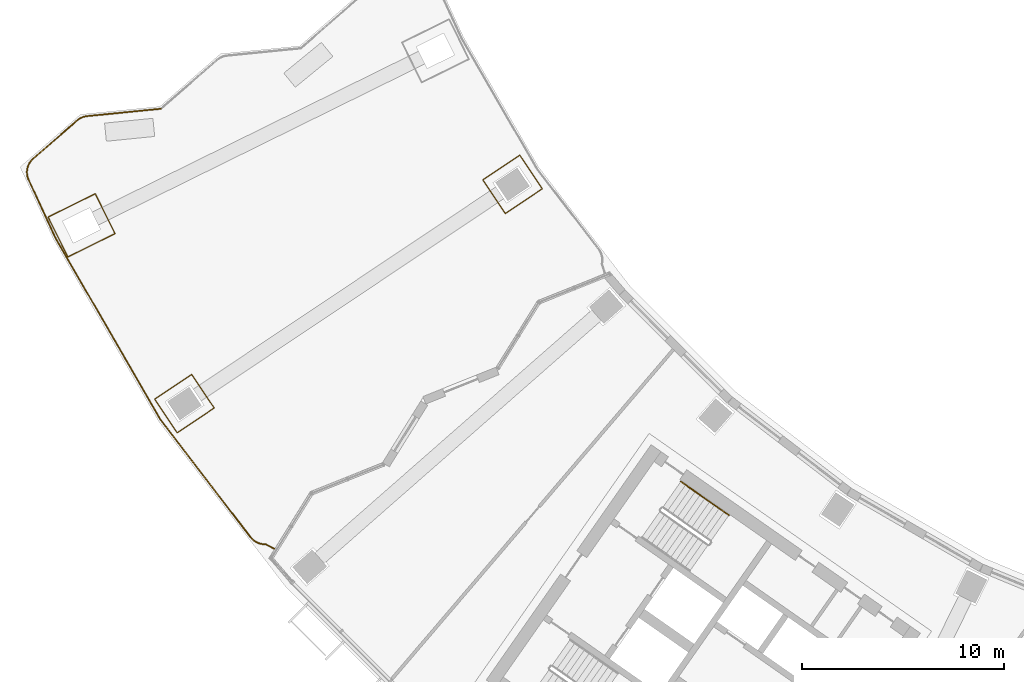
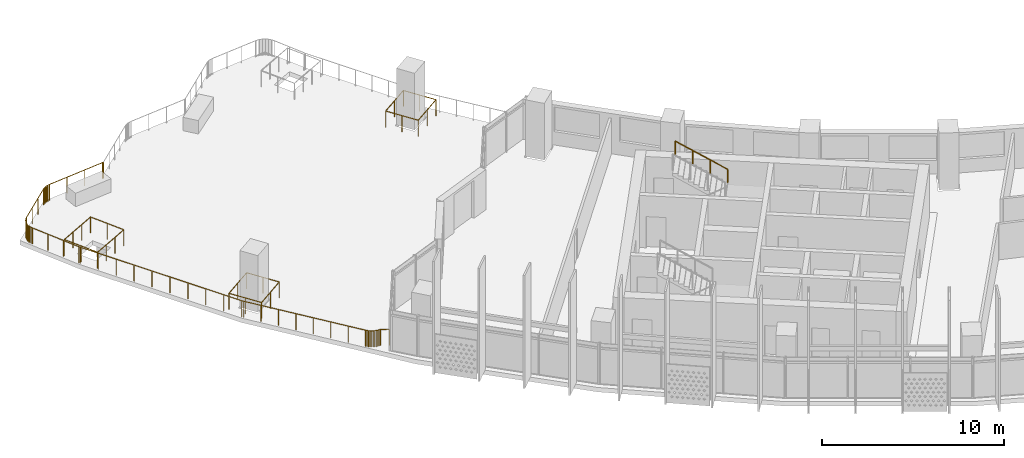
# One storey, part 24 of 31: 5 railings.
"""IFC4 building model written with IfcOpenShell, lengths in metres."""

from ifc_helpers import new_model, si_unit, direction, frame, origin, origin_2d, place, context, subcontext, project, spatial, circle, extrude, material, type_object, element, save


model = new_model("IFC4")

# Units and contexts
model_context = context("Model", 3, precision=1e-05, world=origin(), true_north=direction((0.0, 1.0)))
body_context = subcontext(model_context, "Body", "Model", "MODEL_VIEW")
ifc_project = project(units=[si_unit("LENGTHUNIT", "METRE"), si_unit("AREAUNIT", "SQUARE_METRE"), si_unit("VOLUMEUNIT", "CUBIC_METRE"), si_unit("PLANEANGLEUNIT", "RADIAN"), si_unit("MASSUNIT", "GRAM", prefix="KILO")], contexts=[model_context])

# Site, building, storey
site_placement = place(None, origin())
site = spatial("IfcSite", under=ifc_project, at=site_placement, CompositionType="ELEMENT")
building_placement = place(site_placement, origin())
building = spatial("IfcBuilding", under=site, at=building_placement, Name="Qamariyya Broadcast Tower", CompositionType="ELEMENT")
storey_placement = place(building_placement, frame((0.0, 0.0, 149.300048828125)))
storey = spatial("IfcBuildingStorey", under=building, at=storey_placement, Name="L34", CompositionType="ELEMENT", Elevation=149.300048828125)

# Railings
ifc_material_1 = material(Name="Stainless steel", Category="steel")
railing_type_1 = type_object("IfcRailingType", Name="Stair handrail", PredefinedType="HANDRAIL", material=ifc_material_1)
railing_1_placement = place(storey_placement, frame((-37.73876953125, -48.7138671875, 2.07275390625)))
element("IfcRailing", 1, at=railing_1_placement, inside=storey, type_object=railing_type_1, Name="L34 ST-W2 stair handrail 2", PredefinedType="HANDRAIL", context=body_context, shape_type="SweptSolid", body=[
    extrude(circle(Radius=0.02392578125, at=origin_2d()), frame((0.0, 0.0, 0.8759765625), z_axis=(-0.703745009021, 0.492838488332, 0.511715923826), x_axis=(-0.573631830683, -0.819113253969, 0.0)), (0.0, 0.0, 1.0), 3.37548828125),
    extrude(circle(Radius=0.02099609375, at=origin_2d()), origin(), (0.0, 0.0, 1.0), 0.851806640625),
    extrude(circle(Radius=0.02099609375, at=origin_2d()), frame((-0.791748046875, 0.554443359375, 0.57568359375)), (0.0, 0.0, 1.0), 0.851806640625),
    extrude(circle(Radius=0.02099609375, at=origin_2d()), frame((-1.583740234375, 1.109130859375, 1.151611328125)), (0.0, 0.0, 1.0), 0.851806640625),
    extrude(circle(Radius=0.02099609375, at=origin_2d()), frame((-2.37548828125, 1.66357421875, 1.727294921875)), (0.0, 0.0, 1.0), 0.851806640625),
])
ifc_material_2 = material(Name="Stainless steel 316 with toughened glass infill", Category="steel")
railing_type_2 = type_object("IfcRailingType", Name="Terrace guard, glass and stainless steel", PredefinedType="GUARDRAIL", material=ifc_material_2)
railing_2_placement = place(storey_placement, frame((-70.411376953125, -35.949462890625, 0.0)))
element("IfcRailing", 2, at=railing_2_placement, inside=storey, type_object=railing_type_2, Name="e-r-L34-t2-pyl0", PredefinedType="GUARDRAIL", context=body_context, shape_type="SweptSolid", body=[
    extrude(circle(Radius=0.02392578125, at=origin_2d()), frame((0.0, 0.0, 1.076171875), z_axis=(-0.442324275547, 0.896855191914, 0.0), x_axis=(-0.896855191914, -0.442324275547, 0.0)), (0.0, 0.0, 1.0), 2.199951171875),
    extrude(circle(Radius=0.02392578125, at=origin_2d()), frame((-0.97314453125, 1.97314453125, 1.076171875), z_axis=(0.896892299018, 0.442249029352, 0.0), x_axis=(-0.442249029352, 0.896892299018, 0.0)), (0.0, 0.0, 1.0), 2.60009765625),
    extrude(circle(Radius=0.02392578125, at=origin_2d()), frame((1.35888671875, 3.123046875, 1.076171875), z_axis=(0.442235010773, -0.896899211309, 0.0), x_axis=(0.896899211309, 0.442235010773, 0.0)), (0.0, 0.0, 1.0), 2.199951171875),
    extrude(circle(Radius=0.02392578125, at=origin_2d()), frame((2.331787109375, 1.14990234375, 1.076171875), z_axis=(-0.89687393217, -0.442286275837, 0.0), x_axis=(0.442286275837, -0.89687393217, 0.0)), (0.0, 0.0, 1.0), 2.599853515625),
    extrude(circle(Radius=0.02099609375, at=origin_2d()), origin(), (0.0, 0.0, 1.0), 1.052001953125),
    extrude(circle(Radius=0.02099609375, at=origin_2d()), frame((-0.486572265625, 0.986572265625, 0.0)), (0.0, 0.0, 1.0), 1.052001953125),
    extrude(circle(Radius=0.02099609375, at=origin_2d()), frame((-0.97314453125, 1.97314453125, 0.0)), (0.0, 0.0, 1.0), 1.052001953125),
    extrude(circle(Radius=0.02099609375, at=origin_2d()), frame((-0.19580078125, 2.3564453125, 0.0)), (0.0, 0.0, 1.0), 1.052001953125),
    extrude(circle(Radius=0.02099609375, at=origin_2d()), frame((0.58154296875, 2.73974609375, 0.0)), (0.0, 0.0, 1.0), 1.052001953125),
    extrude(circle(Radius=0.02099609375, at=origin_2d()), frame((1.35888671875, 3.123046875, 0.0)), (0.0, 0.0, 1.0), 1.052001953125),
    extrude(circle(Radius=0.02099609375, at=origin_2d()), frame((1.84521484375, 2.136474609375, 0.0)), (0.0, 0.0, 1.0), 1.052001953125),
    extrude(circle(Radius=0.02099609375, at=origin_2d()), frame((2.331787109375, 1.14990234375, 0.0)), (0.0, 0.0, 1.0), 1.052001953125),
    extrude(circle(Radius=0.02099609375, at=origin_2d()), frame((1.554443359375, 0.7666015625, 0.0)), (0.0, 0.0, 1.0), 1.052001953125),
    extrude(circle(Radius=0.02099609375, at=origin_2d()), frame((0.77734375, 0.38330078125, 0.0)), (0.0, 0.0, 1.0), 1.052001953125),
])
railing_3_placement = place(storey_placement, frame((-65.006103515625, -44.638671875, 0.0)))
element("IfcRailing", 3, at=railing_3_placement, inside=storey, type_object=railing_type_2, Name="e-r-L34-t2-pyl1", PredefinedType="GUARDRAIL", context=body_context, shape_type="SweptSolid", body=[
    extrude(circle(Radius=0.02392578125, at=origin_2d()), frame((0.0, 0.0, 1.076171875), z_axis=(-0.555516823968, 0.831505296609, 0.0), x_axis=(-0.831505296609, -0.555516823968, 0.0)), (0.0, 0.0, 1.0), 2.0),
    extrude(circle(Radius=0.02392578125, at=origin_2d()), frame((-1.111083984375, 1.6630859375, 1.076171875), z_axis=(0.831503573422, 0.55551940325, 0.0), x_axis=(-0.55551940325, 0.831503573422, 0.0)), (0.0, 0.0, 1.0), 2.199951171875),
    extrude(circle(Radius=0.02392578125, at=origin_2d()), frame((0.71826171875, 2.88525390625, 1.076171875), z_axis=(0.55557321199, -0.831467621811, 0.0), x_axis=(0.831467621811, 0.55557321199, 0.0)), (0.0, 0.0, 1.0), 2.0),
    extrude(circle(Radius=0.02392578125, at=origin_2d()), frame((1.829345703125, 1.222412109375, 1.076171875), z_axis=(-0.831452313852, -0.555596121107, 0.0), x_axis=(0.555596121107, -0.831452313852, 0.0)), (0.0, 0.0, 1.0), 2.2001953125),
    extrude(circle(Radius=0.02099609375, at=origin_2d()), origin(), (0.0, 0.0, 1.0), 1.052001953125),
    extrude(circle(Radius=0.02099609375, at=origin_2d()), frame((-0.5556640625, 0.83154296875, 0.0)), (0.0, 0.0, 1.0), 1.052001953125),
    extrude(circle(Radius=0.02099609375, at=origin_2d()), frame((-1.111083984375, 1.6630859375, 0.0)), (0.0, 0.0, 1.0), 1.052001953125),
    extrude(circle(Radius=0.02099609375, at=origin_2d()), frame((-0.1962890625, 2.274169921875, 0.0)), (0.0, 0.0, 1.0), 1.052001953125),
    extrude(circle(Radius=0.02099609375, at=origin_2d()), frame((0.71826171875, 2.88525390625, 0.0)), (0.0, 0.0, 1.0), 1.052001953125),
    extrude(circle(Radius=0.02099609375, at=origin_2d()), frame((1.27392578125, 2.0537109375, 0.0)), (0.0, 0.0, 1.0), 1.052001953125),
    extrude(circle(Radius=0.02099609375, at=origin_2d()), frame((1.829345703125, 1.222412109375, 0.0)), (0.0, 0.0, 1.0), 1.052001953125),
    extrude(circle(Radius=0.02099609375, at=origin_2d()), frame((0.91455078125, 0.611328125, 0.0)), (0.0, 0.0, 1.0), 1.052001953125),
])
railing_4_placement = place(storey_placement, frame((-48.7919921875, -33.8046875, 0.0)))
element("IfcRailing", 4, at=railing_4_placement, inside=storey, type_object=railing_type_2, Name="e-r-L34-t2-pyl3", PredefinedType="GUARDRAIL", context=body_context, shape_type="SweptSolid", body=[
    extrude(circle(Radius=0.02392578125, at=origin_2d()), frame((0.0, 0.0, 1.076171875), z_axis=(-0.555516823968, 0.831505296609, 0.0), x_axis=(-0.831505296609, -0.555516823968, 0.0)), (0.0, 0.0, 1.0), 2.0),
    extrude(circle(Radius=0.02392578125, at=origin_2d()), frame((-1.111083984375, 1.6630859375, 1.076171875), z_axis=(0.831469322918, 0.555570666114, 0.0), x_axis=(-0.555570666114, 0.831469322918, 0.0)), (0.0, 0.0, 1.0), 2.199951171875),
    extrude(circle(Radius=0.02392578125, at=origin_2d()), frame((0.718017578125, 2.88525390625, 1.076171875), z_axis=(0.55557321199, -0.831467621811, 0.0), x_axis=(0.831467621811, 0.55557321199, 0.0)), (0.0, 0.0, 1.0), 2.0),
    extrude(circle(Radius=0.02392578125, at=origin_2d()), frame((1.8291015625, 1.222412109375, 1.076171875), z_axis=(-0.831418056, -0.555647384729, 0.0), x_axis=(0.555647384729, -0.831418056, 0.0)), (0.0, 0.0, 1.0), 2.199951171875),
    extrude(circle(Radius=0.02099609375, at=origin_2d()), origin(), (0.0, 0.0, 1.0), 1.052001953125),
    extrude(circle(Radius=0.02099609375, at=origin_2d()), frame((-0.5556640625, 0.83154296875, 0.0)), (0.0, 0.0, 1.0), 1.052001953125),
    extrude(circle(Radius=0.02099609375, at=origin_2d()), frame((-1.111083984375, 1.6630859375, 0.0)), (0.0, 0.0, 1.0), 1.052001953125),
    extrude(circle(Radius=0.02099609375, at=origin_2d()), frame((-0.196533203125, 2.274169921875, 0.0)), (0.0, 0.0, 1.0), 1.052001953125),
    extrude(circle(Radius=0.02099609375, at=origin_2d()), frame((0.718017578125, 2.88525390625, 0.0)), (0.0, 0.0, 1.0), 1.052001953125),
    extrude(circle(Radius=0.02099609375, at=origin_2d()), frame((1.2734375, 2.0537109375, 0.0)), (0.0, 0.0, 1.0), 1.052001953125),
    extrude(circle(Radius=0.02099609375, at=origin_2d()), frame((1.8291015625, 1.222412109375, 0.0)), (0.0, 0.0, 1.0), 1.052001953125),
    extrude(circle(Radius=0.02099609375, at=origin_2d()), frame((0.91455078125, 0.611328125, 0.0)), (0.0, 0.0, 1.0), 1.052001953125),
])
railing_5_placement = place(storey_placement, frame((-60.18994140625, -50.37744140625, 0.0)))
element("IfcRailing", 5, at=railing_5_placement, inside=storey, type_object=railing_type_2, Name="e-r-L34-t2-1", PredefinedType="GUARDRAIL", context=body_context, shape_type="SweptSolid", body=[
    extrude(circle(Radius=0.02392578125, at=origin_2d()), frame((0.0, 0.0, 1.076171875), z_axis=(-0.886489187465, 0.462749306328, 0.0), x_axis=(-0.462749306328, -0.886489187465, 0.0)), (0.0, 0.0, 1.0), 0.500732421875),
    extrude(circle(Radius=0.02392578125, at=origin_2d()), frame((-0.44384765625, 0.231689453125, 1.076171875), z_axis=(-0.999995871343, -0.002873551354, 0.0), x_axis=(0.002873551354, -0.999995871343, 0.0)), (0.0, 0.0, 1.0), 0.0849609375),
    extrude(circle(Radius=0.02392578125, at=origin_2d()), frame((-0.52880859375, 0.2314453125, 1.076171875), z_axis=(-0.995482532471, 0.094944865814, 0.0), x_axis=(-0.094944865814, -0.995482532471, 0.0)), (0.0, 0.0, 1.0), 0.0849609375),
    extrude(circle(Radius=0.02392578125, at=origin_2d()), frame((-0.61328125, 0.239501953125, 1.076171875), z_axis=(-0.981345606985, 0.192251917158, 0.0), x_axis=(-0.192251917158, -0.981345606985, 0.0)), (0.0, 0.0, 1.0), 0.085205078125),
    extrude(circle(Radius=0.02392578125, at=origin_2d()), frame((-0.69677734375, 0.255859375, 1.076171875), z_axis=(-0.958536356279, 0.284970268083, 0.0), x_axis=(-0.284970268083, -0.958536356279, 0.0)), (0.0, 0.0, 1.0), 0.084716796875),
    extrude(circle(Radius=0.02392578125, at=origin_2d()), frame((-0.778076171875, 0.280029296875, 1.076171875), z_axis=(-0.926278382662, 0.376839963133, 0.0), x_axis=(-0.376839963133, -0.926278382662, 0.0)), (0.0, 0.0, 1.0), 0.0849609375),
    extrude(circle(Radius=0.02392578125, at=origin_2d()), frame((-0.856689453125, 0.31201171875, 1.076171875), z_axis=(-0.886225443962, 0.463254209344, 0.0), x_axis=(-0.463254209344, -0.886225443962, 0.0)), (0.0, 0.0, 1.0), 0.0849609375),
    extrude(circle(Radius=0.02392578125, at=origin_2d()), frame((-0.931884765625, 0.351318359375, 1.076171875), z_axis=(-0.83818119027, 0.545391870381, 0.0), x_axis=(-0.545391870381, -0.83818119027, 0.0)), (0.0, 0.0, 1.0), 0.0849609375),
    extrude(circle(Radius=0.02392578125, at=origin_2d()), frame((-1.003173828125, 0.397705078125, 1.076171875), z_axis=(-0.780587716047, 0.625046252333, 0.0), x_axis=(-0.625046252333, -0.780587716047, 0.0)), (0.0, 0.0, 1.0), 0.084716796875),
    extrude(circle(Radius=0.02392578125, at=origin_2d()), frame((-1.0693359375, 0.45068359375, 1.076171875), z_axis=(-0.717074557481, 0.696996469872, 0.0), x_axis=(-0.696996469872, -0.717074557481, 0.0)), (0.0, 0.0, 1.0), 0.085205078125),
    extrude(circle(Radius=0.02392578125, at=origin_2d()), frame((-1.13037109375, 0.510009765625, 1.076171875), z_axis=(-0.646191924356, 0.763174945145, 0.0), x_axis=(-0.763174945145, -0.646191924356, 0.0)), (0.0, 0.0, 1.0), 0.087646484375),
    extrude(circle(Radius=0.02392578125, at=origin_2d()), frame((-1.18701171875, 0.576904296875, 1.076171875), z_axis=(-0.608763186943, 0.793351991378, 0.0), x_axis=(-0.793351991378, -0.608763186943, 0.0)), (0.0, 0.0, 1.0), 7.262451171875),
    extrude(circle(Radius=0.02392578125, at=origin_2d()), frame((-5.608154296875, 6.338623046875, 1.076171875), z_axis=(-0.555615710267, 0.831439223578, 0.0), x_axis=(-0.831439223578, -0.555615710267, 0.0)), (0.0, 0.0, 1.0), 0.123046875),
    extrude(circle(Radius=0.02392578125, at=origin_2d()), frame((-5.676513671875, 6.44091796875, 1.076171875), z_axis=(-0.499992403988, 0.8660297893, 0.0), x_axis=(-0.8660297893, -0.499992403988, 0.0)), (0.0, 0.0, 1.0), 10.255615234375),
    extrude(circle(Radius=0.02392578125, at=origin_2d()), frame((-10.80419921875, 15.322509765625, 1.076171875), z_axis=(-0.460989828228, 0.887405419338, 0.0), x_axis=(-0.887405419338, -0.460989828228, 0.0)), (0.0, 0.0, 1.0), 0.084716796875),
    extrude(circle(Radius=0.02392578125, at=origin_2d()), frame((-10.84326171875, 15.397705078125, 1.076171875), z_axis=(-0.419858548833, 0.907589554243, 0.0), x_axis=(-0.907589554243, -0.419858548833, 0.0)), (0.0, 0.0, 1.0), 3.133056640625),
    extrude(circle(Radius=0.02392578125, at=origin_2d()), frame((-12.15869140625, 18.2412109375, 1.076171875), z_axis=(-0.376522359017, 0.92640753082, 0.0), x_axis=(-0.92640753082, -0.376522359017, 0.0)), (0.0, 0.0, 1.0), 0.090087890625),
    extrude(circle(Radius=0.02392578125, at=origin_2d()), frame((-12.192626953125, 18.32470703125, 1.076171875), z_axis=(-0.280646546128, 0.959811187758, 0.0), x_axis=(-0.959811187758, -0.280646546128, 0.0)), (0.0, 0.0, 1.0), 0.0869140625),
    extrude(circle(Radius=0.02392578125, at=origin_2d()), frame((-12.217041015625, 18.408203125, 1.076171875), z_axis=(-0.18479566844, 0.982776963978, 0.0), x_axis=(-0.982776963978, -0.18479566844, 0.0)), (0.0, 0.0, 1.0), 0.087158203125),
    extrude(circle(Radius=0.02392578125, at=origin_2d()), frame((-12.233154296875, 18.493896484375, 1.076171875), z_axis=(-0.086750372162, 0.996230080318, 0.0), x_axis=(-0.996230080318, -0.086750372162, 0.0)), (0.0, 0.0, 1.0), 0.087158203125),
    extrude(circle(Radius=0.02392578125, at=origin_2d()), frame((-12.24072265625, 18.580810546875, 1.076171875), z_axis=(0.014004228795, 0.99990193598, 0.0), x_axis=(-0.99990193598, 0.014004228795, 0.0)), (0.0, 0.0, 1.0), 0.087158203125),
    extrude(circle(Radius=0.02392578125, at=origin_2d()), frame((-12.239501953125, 18.66796875, 1.076171875), z_axis=(0.112279844712, 0.993676625704, 0.0), x_axis=(-0.993676625704, 0.112279844712, 0.0)), (0.0, 0.0, 1.0), 0.0869140625),
    extrude(circle(Radius=0.02392578125, at=origin_2d()), frame((-12.229736328125, 18.75439453125, 1.076171875), z_axis=(0.207422925202, 0.978251363454, 0.0), x_axis=(-0.978251363454, 0.207422925202, 0.0)), (0.0, 0.0, 1.0), 0.087158203125),
    extrude(circle(Radius=0.02392578125, at=origin_2d()), frame((-12.211669921875, 18.839599609375, 1.076171875), z_axis=(0.305283805802, 0.952261412594, 0.0), x_axis=(-0.952261412594, 0.305283805802, 0.0)), (0.0, 0.0, 1.0), 0.087158203125),
    extrude(circle(Radius=0.02392578125, at=origin_2d()), frame((-12.18505859375, 18.922607421875, 1.076171875), z_axis=(0.397293344319, 0.917691668568, 0.0), x_axis=(-0.917691668568, 0.397293344319, 0.0)), (0.0, 0.0, 1.0), 0.087158203125),
    extrude(circle(Radius=0.02392578125, at=origin_2d()), frame((-12.150390625, 19.002685546875, 1.076171875), z_axis=(0.484928783087, 0.874553643486, 0.0), x_axis=(-0.874553643486, 0.484928783087, 0.0)), (0.0, 0.0, 1.0), 0.087158203125),
    extrude(circle(Radius=0.02392578125, at=origin_2d()), frame((-12.108154296875, 19.078857421875, 1.076171875), z_axis=(0.571392706116, 0.820676778883, 0.0), x_axis=(-0.820676778883, 0.571392706116, 0.0)), (0.0, 0.0, 1.0), 0.087158203125),
    extrude(circle(Radius=0.02392578125, at=origin_2d()), frame((-12.058349609375, 19.150390625, 1.076171875), z_axis=(0.648707513559, 0.761037818937, 0.0), x_axis=(-0.761037818937, 0.648707513559, 0.0)), (0.0, 0.0, 1.0), 0.0869140625),
    extrude(circle(Radius=0.02392578125, at=origin_2d()), frame((-12.001953125, 19.216552734375, 1.076171875), z_axis=(0.721819371328, 0.692081494606, 0.0), x_axis=(-0.692081494606, 0.721819371328, 0.0)), (0.0, 0.0, 1.0), 0.09033203125),
    extrude(circle(Radius=0.02392578125, at=origin_2d()), frame((-11.936767578125, 19.279052734375, 1.076171875), z_axis=(0.754297739104, 0.656532497888, 0.0), x_axis=(-0.656532497888, 0.754297739104, 0.0)), (0.0, 0.0, 1.0), 2.88671875),
    extrude(circle(Radius=0.02392578125, at=origin_2d()), frame((-9.75927734375, 21.17431640625, 1.076171875), z_axis=(0.785683890366, 0.618628179458, 0.0), x_axis=(-0.618628179458, 0.785683890366, 0.0)), (0.0, 0.0, 1.0), 0.093505859375),
    extrude(circle(Radius=0.02392578125, at=origin_2d()), frame((-9.685791015625, 21.232177734375, 1.076171875), z_axis=(0.847087708116, 0.531453116238, 0.0), x_axis=(-0.531453116238, 0.847087708116, 0.0)), (0.0, 0.0, 1.0), 0.090576171875),
    extrude(circle(Radius=0.02392578125, at=origin_2d()), frame((-9.609130859375, 21.2802734375, 1.076171875), z_axis=(0.896577181158, 0.442887523223, 0.0), x_axis=(-0.442887523223, 0.896577181158, 0.0)), (0.0, 0.0, 1.0), 0.09033203125),
    extrude(circle(Radius=0.02392578125, at=origin_2d()), frame((-9.528076171875, 21.3203125, 1.076171875), z_axis=(0.937324469765, 0.348457799999, 0.0), x_axis=(-0.348457799999, 0.937324469765, 0.0)), (0.0, 0.0, 1.0), 0.09033203125),
    extrude(circle(Radius=0.02392578125, at=origin_2d()), frame((-9.443359375, 21.351806640625, 1.076171875), z_axis=(0.967875158952, 0.251431256376, 0.0), x_axis=(-0.251431256376, 0.967875158952, 0.0)), (0.0, 0.0, 1.0), 0.09033203125),
    extrude(circle(Radius=0.02392578125, at=origin_2d()), frame((-9.35595703125, 21.37451171875, 1.076171875), z_axis=(0.988491995219, 0.151273181326, 0.0), x_axis=(-0.151273181326, 0.988491995219, 0.0)), (0.0, 0.0, 1.0), 0.093505859375),
    extrude(circle(Radius=0.02392578125, at=origin_2d()), frame((-9.263427734375, 21.388671875, 1.076171875), z_axis=(0.995065352911, 0.099221688339, 0.0), x_axis=(-0.099221688339, 0.995065352911, 0.0)), (0.0, 0.0, 1.0), 3.599853515625),
    extrude(circle(Radius=0.02392578125, at=origin_2d()), frame((-5.681396484375, 21.745849609375, 1.076171875), z_axis=(0.988605679587, 0.15052843681, 0.0), x_axis=(-0.15052843681, 0.988605679587, 0.0)), (0.0, 0.0, 1.0), 0.06005859375),
    extrude(circle(Radius=0.02099609375, at=origin_2d()), origin(), (0.0, 0.0, 1.0), 1.052001953125),
    extrude(circle(Radius=0.02099609375, at=origin_2d()), frame((-0.44384765625, 0.231689453125, 0.0)), (0.0, 0.0, 1.0), 1.052001953125),
    extrude(circle(Radius=0.02099609375, at=origin_2d()), frame((-0.52880859375, 0.2314453125, 0.0)), (0.0, 0.0, 1.0), 1.052001953125),
    extrude(circle(Radius=0.02099609375, at=origin_2d()), frame((-0.61328125, 0.239501953125, 0.0)), (0.0, 0.0, 1.0), 1.052001953125),
    extrude(circle(Radius=0.02099609375, at=origin_2d()), frame((-0.69677734375, 0.255859375, 0.0)), (0.0, 0.0, 1.0), 1.052001953125),
    extrude(circle(Radius=0.02099609375, at=origin_2d()), frame((-0.778076171875, 0.280029296875, 0.0)), (0.0, 0.0, 1.0), 1.052001953125),
    extrude(circle(Radius=0.02099609375, at=origin_2d()), frame((-0.856689453125, 0.31201171875, 0.0)), (0.0, 0.0, 1.0), 1.052001953125),
    extrude(circle(Radius=0.02099609375, at=origin_2d()), frame((-0.931884765625, 0.351318359375, 0.0)), (0.0, 0.0, 1.0), 1.052001953125),
    extrude(circle(Radius=0.02099609375, at=origin_2d()), frame((-1.003173828125, 0.397705078125, 0.0)), (0.0, 0.0, 1.0), 1.052001953125),
    extrude(circle(Radius=0.02099609375, at=origin_2d()), frame((-1.0693359375, 0.45068359375, 0.0)), (0.0, 0.0, 1.0), 1.052001953125),
    extrude(circle(Radius=0.02099609375, at=origin_2d()), frame((-1.13037109375, 0.510009765625, 0.0)), (0.0, 0.0, 1.0), 1.052001953125),
    extrude(circle(Radius=0.02099609375, at=origin_2d()), frame((-1.18701171875, 0.576904296875, 0.0)), (0.0, 0.0, 1.0), 1.052001953125),
    extrude(circle(Radius=0.02099609375, at=origin_2d()), frame((-1.818603515625, 1.39990234375, 0.0)), (0.0, 0.0, 1.0), 1.052001953125),
    extrude(circle(Radius=0.02099609375, at=origin_2d()), frame((-2.4501953125, 2.22314453125, 0.0)), (0.0, 0.0, 1.0), 1.052001953125),
    extrude(circle(Radius=0.02099609375, at=origin_2d()), frame((-3.081787109375, 3.046142578125, 0.0)), (0.0, 0.0, 1.0), 1.052001953125),
    extrude(circle(Radius=0.02099609375, at=origin_2d()), frame((-3.71337890625, 3.869384765625, 0.0)), (0.0, 0.0, 1.0), 1.052001953125),
    extrude(circle(Radius=0.02099609375, at=origin_2d()), frame((-4.344970703125, 4.6923828125, 0.0)), (0.0, 0.0, 1.0), 1.052001953125),
    extrude(circle(Radius=0.02099609375, at=origin_2d()), frame((-4.9765625, 5.515625, 0.0)), (0.0, 0.0, 1.0), 1.052001953125),
    extrude(circle(Radius=0.02099609375, at=origin_2d()), frame((-5.608154296875, 6.338623046875, 0.0)), (0.0, 0.0, 1.0), 1.052001953125),
    extrude(circle(Radius=0.02099609375, at=origin_2d()), frame((-5.676513671875, 6.44091796875, 0.0)), (0.0, 0.0, 1.0), 1.052001953125),
    extrude(circle(Radius=0.02099609375, at=origin_2d()), frame((-6.246337890625, 7.427734375, 0.0)), (0.0, 0.0, 1.0), 1.052001953125),
    extrude(circle(Radius=0.02099609375, at=origin_2d()), frame((-6.81591796875, 8.41455078125, 0.0)), (0.0, 0.0, 1.0), 1.052001953125),
    extrude(circle(Radius=0.02099609375, at=origin_2d()), frame((-7.3857421875, 9.4013671875, 0.0)), (0.0, 0.0, 1.0), 1.052001953125),
    extrude(circle(Radius=0.02099609375, at=origin_2d()), frame((-7.95556640625, 10.38818359375, 0.0)), (0.0, 0.0, 1.0), 1.052001953125),
    extrude(circle(Radius=0.02099609375, at=origin_2d()), frame((-8.525146484375, 11.375244140625, 0.0)), (0.0, 0.0, 1.0), 1.052001953125),
    extrude(circle(Radius=0.02099609375, at=origin_2d()), frame((-9.094970703125, 12.362060546875, 0.0)), (0.0, 0.0, 1.0), 1.052001953125),
    extrude(circle(Radius=0.02099609375, at=origin_2d()), frame((-9.664794921875, 13.348876953125, 0.0)), (0.0, 0.0, 1.0), 1.052001953125),
    extrude(circle(Radius=0.02099609375, at=origin_2d()), frame((-10.234375, 14.335693359375, 0.0)), (0.0, 0.0, 1.0), 1.052001953125),
    extrude(circle(Radius=0.02099609375, at=origin_2d()), frame((-10.80419921875, 15.322509765625, 0.0)), (0.0, 0.0, 1.0), 1.052001953125),
    extrude(circle(Radius=0.02099609375, at=origin_2d()), frame((-10.84326171875, 15.397705078125, 0.0)), (0.0, 0.0, 1.0), 1.052001953125),
    extrude(circle(Radius=0.02099609375, at=origin_2d()), frame((-11.28173828125, 16.345458984375, 0.0)), (0.0, 0.0, 1.0), 1.052001953125),
    extrude(circle(Radius=0.02099609375, at=origin_2d()), frame((-11.72021484375, 17.29345703125, 0.0)), (0.0, 0.0, 1.0), 1.052001953125),
    extrude(circle(Radius=0.02099609375, at=origin_2d()), frame((-12.15869140625, 18.2412109375, 0.0)), (0.0, 0.0, 1.0), 1.052001953125),
    extrude(circle(Radius=0.02099609375, at=origin_2d()), frame((-12.192626953125, 18.32470703125, 0.0)), (0.0, 0.0, 1.0), 1.052001953125),
    extrude(circle(Radius=0.02099609375, at=origin_2d()), frame((-12.217041015625, 18.408203125, 0.0)), (0.0, 0.0, 1.0), 1.052001953125),
    extrude(circle(Radius=0.02099609375, at=origin_2d()), frame((-12.233154296875, 18.493896484375, 0.0)), (0.0, 0.0, 1.0), 1.052001953125),
    extrude(circle(Radius=0.02099609375, at=origin_2d()), frame((-12.24072265625, 18.580810546875, 0.0)), (0.0, 0.0, 1.0), 1.052001953125),
    extrude(circle(Radius=0.02099609375, at=origin_2d()), frame((-12.239501953125, 18.66796875, 0.0)), (0.0, 0.0, 1.0), 1.052001953125),
    extrude(circle(Radius=0.02099609375, at=origin_2d()), frame((-12.229736328125, 18.75439453125, 0.0)), (0.0, 0.0, 1.0), 1.052001953125),
    extrude(circle(Radius=0.02099609375, at=origin_2d()), frame((-12.211669921875, 18.839599609375, 0.0)), (0.0, 0.0, 1.0), 1.052001953125),
    extrude(circle(Radius=0.02099609375, at=origin_2d()), frame((-12.18505859375, 18.922607421875, 0.0)), (0.0, 0.0, 1.0), 1.052001953125),
    extrude(circle(Radius=0.02099609375, at=origin_2d()), frame((-12.150390625, 19.002685546875, 0.0)), (0.0, 0.0, 1.0), 1.052001953125),
    extrude(circle(Radius=0.02099609375, at=origin_2d()), frame((-12.108154296875, 19.078857421875, 0.0)), (0.0, 0.0, 1.0), 1.052001953125),
    extrude(circle(Radius=0.02099609375, at=origin_2d()), frame((-12.058349609375, 19.150390625, 0.0)), (0.0, 0.0, 1.0), 1.052001953125),
    extrude(circle(Radius=0.02099609375, at=origin_2d()), frame((-12.001953125, 19.216552734375, 0.0)), (0.0, 0.0, 1.0), 1.052001953125),
    extrude(circle(Radius=0.02099609375, at=origin_2d()), frame((-11.936767578125, 19.279052734375, 0.0)), (0.0, 0.0, 1.0), 1.052001953125),
    extrude(circle(Radius=0.02099609375, at=origin_2d()), frame((-11.2109375, 19.910888671875, 0.0)), (0.0, 0.0, 1.0), 1.052001953125),
    extrude(circle(Radius=0.02099609375, at=origin_2d()), frame((-10.485107421875, 20.54248046875, 0.0)), (0.0, 0.0, 1.0), 1.052001953125),
    extrude(circle(Radius=0.02099609375, at=origin_2d()), frame((-9.75927734375, 21.17431640625, 0.0)), (0.0, 0.0, 1.0), 1.052001953125),
    extrude(circle(Radius=0.02099609375, at=origin_2d()), frame((-9.685791015625, 21.232177734375, 0.0)), (0.0, 0.0, 1.0), 1.052001953125),
    extrude(circle(Radius=0.02099609375, at=origin_2d()), frame((-9.609130859375, 21.2802734375, 0.0)), (0.0, 0.0, 1.0), 1.052001953125),
    extrude(circle(Radius=0.02099609375, at=origin_2d()), frame((-9.528076171875, 21.3203125, 0.0)), (0.0, 0.0, 1.0), 1.052001953125),
    extrude(circle(Radius=0.02099609375, at=origin_2d()), frame((-9.443359375, 21.351806640625, 0.0)), (0.0, 0.0, 1.0), 1.052001953125),
    extrude(circle(Radius=0.02099609375, at=origin_2d()), frame((-9.35595703125, 21.37451171875, 0.0)), (0.0, 0.0, 1.0), 1.052001953125),
    extrude(circle(Radius=0.02099609375, at=origin_2d()), frame((-9.263427734375, 21.388671875, 0.0)), (0.0, 0.0, 1.0), 1.052001953125),
    extrude(circle(Radius=0.02099609375, at=origin_2d()), frame((-8.0693359375, 21.5078125, 0.0)), (0.0, 0.0, 1.0), 1.052001953125),
    extrude(circle(Radius=0.02099609375, at=origin_2d()), frame((-6.87548828125, 21.626708984375, 0.0)), (0.0, 0.0, 1.0), 1.052001953125),
    extrude(circle(Radius=0.02099609375, at=origin_2d()), frame((-5.681396484375, 21.745849609375, 0.0)), (0.0, 0.0, 1.0), 1.052001953125),
    extrude(circle(Radius=0.02099609375, at=origin_2d()), frame((-5.6220703125, 21.7548828125, 0.0)), (0.0, 0.0, 1.0), 1.052001953125),
])

save(model, "model.ifc")
